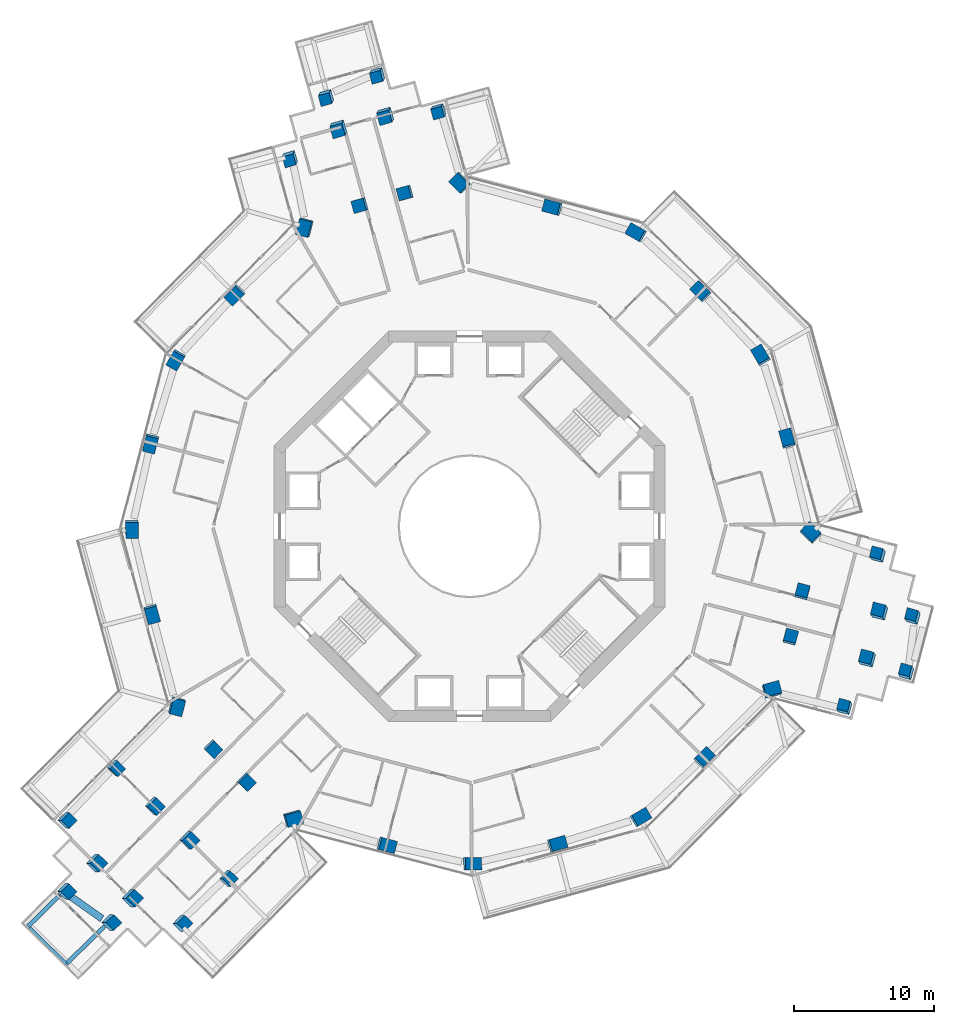
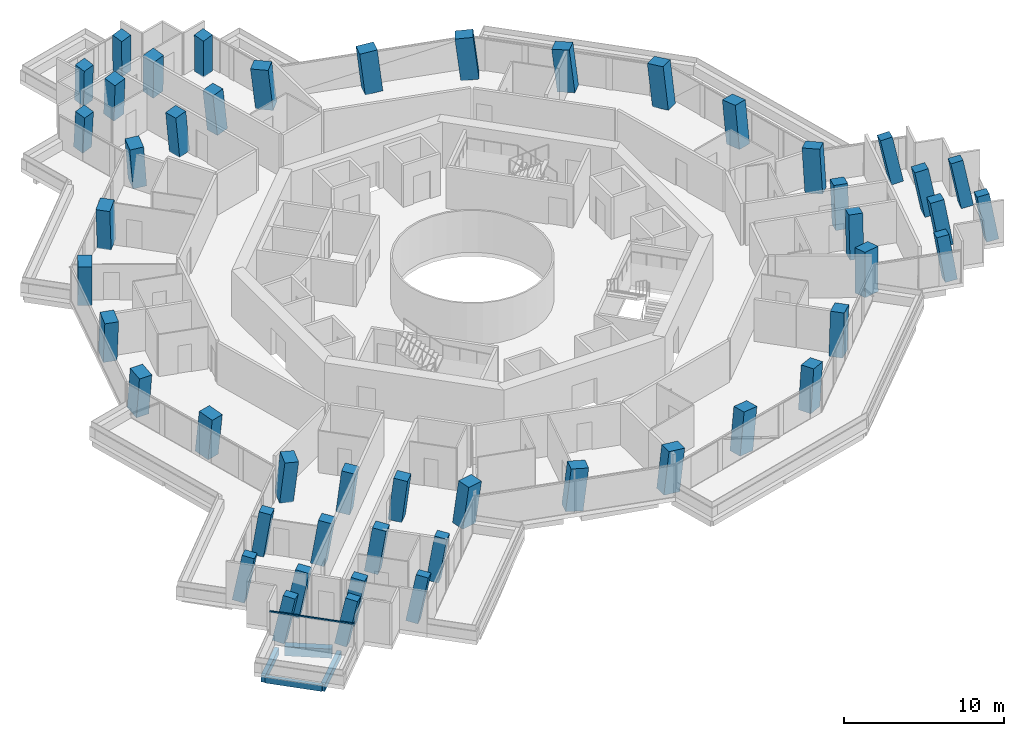
# One storey, part 1 of 26: 49 columns, 4 beams, 1 member, 1 element without a shape of its own.
"""IFC4 building model written with IfcOpenShell, lengths in metres."""

from ifc_helpers import new_model, si_unit, direction, frame, origin, origin_2d, place, context, subcontext, project, spatial, rectangle, extrude, material, layer, layer_set, material_profile, profile_set, type_object, element, aggregate, save


model = new_model("IFC4")

# Units and contexts
model_context = context("Model", 3, precision=1e-05, world=origin(), true_north=direction((0.0, 1.0)))
body_context = subcontext(model_context, "Body", "Model", "MODEL_VIEW")
ifc_project = project(units=[si_unit("LENGTHUNIT", "METRE"), si_unit("AREAUNIT", "SQUARE_METRE"), si_unit("VOLUMEUNIT", "CUBIC_METRE"), si_unit("PLANEANGLEUNIT", "RADIAN"), si_unit("MASSUNIT", "GRAM", prefix="KILO")], contexts=[model_context])

# Site, building, storey
site_placement = place(None, origin())
site = spatial("IfcSite", under=ifc_project, at=site_placement, CompositionType="ELEMENT")
building_placement = place(site_placement, origin())
building = spatial("IfcBuilding", under=site, at=building_placement, Name="Verdalira Terraces Hotel", CompositionType="ELEMENT")
storey_placement = place(building_placement, frame((0.0, 0.0, 96.5)))
storey = spatial("IfcBuildingStorey", under=building, at=storey_placement, Name="L22", CompositionType="ELEMENT", Elevation=96.5)

# Columns
ifc_material_1 = material(Name="Concrete C80", Category="concrete")
ifc_material_profile_1 = material_profile(ifc_material_1, rectangle(XDim=1.149902, YDim=0.899902, at=origin_2d()), Name="RC 1150X900")
ifc_profile_set_1 = profile_set([ifc_material_profile_1], Name="Concrete C80")
column_type_1 = type_object("IfcColumnType", Name="Column RC 1150X900 C80", PredefinedType="COLUMN", material=ifc_profile_set_1)
column_1_placement = place(storey_placement, frame((-11.777344, 21.430908, 0.0), z_axis=(-0.10140473, -0.056859624, 0.993219041), x_axis=(0.245212496, 0.966134351, 0.080344556)))
element("IfcColumn", 1, at=column_1_placement, inside=storey, type_object=column_type_1, Name="Column C03", PredefinedType="COLUMN", context=body_context, shape_type="SweptSolid", body=[
    extrude(rectangle(XDim=1.149902, YDim=0.899902, at=origin_2d()), origin(), (0.0, 0.0, 1.0), 3.21167),
])
column_2_placement = place(storey_placement, frame((-16.798096, 16.588379, 0.0), z_axis=(-0.078255888, -0.080537401, 0.993674868), x_axis=(-0.698489901, -0.706754906, -0.112291409)))
element("IfcColumn", 2, at=column_2_placement, inside=storey, type_object=column_type_1, Name="Column C04", PredefinedType="COLUMN", context=body_context, shape_type="SweptSolid", body=[
    extrude(rectangle(XDim=1.149902, YDim=0.899902, at=origin_2d()), origin(), (0.0, 0.0, 1.0), 3.210205),
])
column_3_placement = place(storey_placement, frame((-21.0271, 11.9646, 0.0), z_axis=(-0.056031257, -0.100506543, 0.993357404), x_axis=(0.491046936, 0.863500308, 0.115065743)))
element("IfcColumn", 3, at=column_3_placement, inside=storey, type_object=column_type_1, Name="Column C05", PredefinedType="COLUMN", context=body_context, shape_type="SweptSolid", body=[
    extrude(rectangle(XDim=1.149902, YDim=0.899902, at=origin_2d()), origin(), (0.0, 0.0, 1.0), 3.211182),
])
column_4_placement = place(storey_placement, frame((-22.841797, 5.966797, 0.0), z_axis=(-0.027454154, -0.108904014, 0.993673078), x_axis=(-0.251067637, -0.961432329, -0.112307249)))
element("IfcColumn", 4, at=column_4_placement, inside=storey, type_object=column_type_1, Name="Column C06", PredefinedType="COLUMN", context=body_context, shape_type="SweptSolid", body=[
    extrude(rectangle(XDim=1.149902, YDim=0.899902, at=origin_2d()), origin(), (0.0, 0.0, 1.0), 3.210205),
])
column_5_placement = place(storey_placement, frame((-24.192139, -0.1521, 0.0), z_axis=(0.001672581, -0.115027932, 0.993360849), x_axis=(-0.00600963, 0.993343145, 0.115036001)))
element("IfcColumn", 5, at=column_5_placement, inside=storey, type_object=column_type_1, Name="Column C07", PredefinedType="COLUMN", context=body_context, shape_type="SweptSolid", body=[
    extrude(rectangle(XDim=1.149902, YDim=0.899902, at=origin_2d()), origin(), (0.0, 0.0, 1.0), 3.211182),
])
column_6_placement = place(storey_placement, frame((-22.765137, -6.253418, 0.0), z_axis=(0.030724182, -0.108066988, 0.993668733), x_axis=(0.263618015, -0.958062623, -0.112345681)))
element("IfcColumn", 6, at=column_6_placement, inside=storey, type_object=column_type_1, Name="Column C08", PredefinedType="COLUMN", context=body_context, shape_type="SweptSolid", body=[
    extrude(rectangle(XDim=1.149902, YDim=0.899902, at=origin_2d()), origin(), (0.0, 0.0, 1.0), 3.210205),
])
column_7_placement = place(storey_placement, frame((-20.999756, -12.868408, 0.0), z_axis=(0.062022401, -0.099342252, 0.993118492), x_axis=(0.258602954, 0.962653299, 0.080144486)))
element("IfcColumn", 7, at=column_7_placement, inside=storey, type_object=column_type_1, Name="Column C09", PredefinedType="COLUMN", context=body_context, shape_type="SweptSolid", body=[
    extrude(rectangle(XDim=1.149902, YDim=0.899902, at=origin_2d()), origin(), (0.0, 0.0, 1.0), 3.212158),
])
column_8_placement = place(storey_placement, frame((-12.670898, -20.914795, 0.0), z_axis=(0.099959947, -0.059443862, 0.993214195), x_axis=(-0.959390795, -0.270387606, 0.080373166)))
element("IfcColumn", 8, at=column_8_placement, inside=storey, type_object=column_type_1, Name="Column C16", PredefinedType="COLUMN", context=body_context, shape_type="SweptSolid", body=[
    extrude(rectangle(XDim=1.149902, YDim=0.899902, at=origin_2d()), origin(), (0.0, 0.0, 1.0), 3.21167),
])
column_9_placement = place(storey_placement, frame((-5.966797, -22.841797, 0.0), z_axis=(0.108904014, -0.027454154, 0.993673078), x_axis=(0.961432329, -0.251067637, -0.112307249)))
element("IfcColumn", 9, at=column_9_placement, inside=storey, type_object=column_type_1, Name="Column C17", PredefinedType="COLUMN", context=body_context, shape_type="SweptSolid", body=[
    extrude(rectangle(XDim=1.149902, YDim=0.899902, at=origin_2d()), origin(), (0.0, 0.0, 1.0), 3.210205),
])
column_10_placement = place(storey_placement, frame((0.1521, -24.192139, 0.0), z_axis=(0.115027932, 0.001672581, 0.993360849), x_axis=(-0.993343145, -0.00600963, 0.115036001)))
element("IfcColumn", 10, at=column_10_placement, inside=storey, type_object=column_type_1, Name="Column C18", PredefinedType="COLUMN", context=body_context, shape_type="SweptSolid", body=[
    extrude(rectangle(XDim=1.149902, YDim=0.899902, at=origin_2d()), origin(), (0.0, 0.0, 1.0), 3.211182),
])
column_11_placement = place(storey_placement, frame((6.253418, -22.765137, 0.0), z_axis=(0.108066988, 0.030724182, 0.993668733), x_axis=(0.958062623, 0.263618015, -0.112345681)))
element("IfcColumn", 11, at=column_11_placement, inside=storey, type_object=column_type_1, Name="Column C19", PredefinedType="COLUMN", context=body_context, shape_type="SweptSolid", body=[
    extrude(rectangle(XDim=1.149902, YDim=0.899902, at=origin_2d()), origin(), (0.0, 0.0, 1.0), 3.210205),
])
column_12_placement = place(storey_placement, frame((12.227783, -20.875, 0.0), z_axis=(0.098758749, 0.058920732, 0.99336552), x_axis=(-0.857366586, -0.501695659, 0.114995663)))
element("IfcColumn", 12, at=column_12_placement, inside=storey, type_object=column_type_1, Name="Column C20", PredefinedType="COLUMN", context=body_context, shape_type="SweptSolid", body=[
    extrude(rectangle(XDim=1.149902, YDim=0.899902, at=origin_2d()), origin(), (0.0, 0.0, 1.0), 3.211182),
])
column_13_placement = place(storey_placement, frame((16.798096, -16.588379, 0.0), z_axis=(0.078255888, 0.080537401, 0.993674868), x_axis=(0.698489901, 0.706754906, -0.112291409)))
element("IfcColumn", 13, at=column_13_placement, inside=storey, type_object=column_type_1, Name="Column C21", PredefinedType="COLUMN", context=body_context, shape_type="SweptSolid", body=[
    extrude(rectangle(XDim=1.149902, YDim=0.899902, at=origin_2d()), origin(), (0.0, 0.0, 1.0), 3.210205),
])
column_14_placement = place(storey_placement, frame((21.644287, -11.752197, 0.0), z_axis=(0.055029299, 0.103445961, 0.99311163), x_axis=(-0.962932337, -0.257549594, 0.080184296)))
element("IfcColumn", 14, at=column_14_placement, inside=storey, type_object=column_type_1, Name="Column C22", PredefinedType="COLUMN", context=body_context, shape_type="SweptSolid", body=[
    extrude(rectangle(XDim=1.149902, YDim=0.899902, at=origin_2d()), origin(), (0.0, 0.0, 1.0), 3.212158),
])
column_15_placement = place(storey_placement, frame((24.448242, -0.515869, 0.0), z_axis=(0.001444299, 0.116228048, 0.993221503), x_axis=(0.71418589, -0.69533129, 0.080330018)))
element("IfcColumn", 15, at=column_15_placement, inside=storey, type_object=column_type_1, Name="Column C27", PredefinedType="COLUMN", context=body_context, shape_type="SweptSolid", body=[
    extrude(rectangle(XDim=1.149902, YDim=0.899902, at=origin_2d()), origin(), (0.0, 0.0, 1.0), 3.21167),
])
column_16_placement = place(storey_placement, frame((22.765137, 6.253418, 0.0), z_axis=(-0.030724182, 0.108066988, 0.993668733), x_axis=(-0.263618015, 0.958062623, -0.112345681)))
element("IfcColumn", 16, at=column_16_placement, inside=storey, type_object=column_type_1, Name="Column C28", PredefinedType="COLUMN", context=body_context, shape_type="SweptSolid", body=[
    extrude(rectangle(XDim=1.149902, YDim=0.899902, at=origin_2d()), origin(), (0.0, 0.0, 1.0), 3.210205),
])
column_17_placement = place(storey_placement, frame((20.875, 12.227783, 0.0), z_axis=(-0.058920732, 0.098758749, 0.99336552), x_axis=(0.501695659, -0.857366586, 0.114995663)))
element("IfcColumn", 17, at=column_17_placement, inside=storey, type_object=column_type_1, Name="Column C29", PredefinedType="COLUMN", context=body_context, shape_type="SweptSolid", body=[
    extrude(rectangle(XDim=1.149902, YDim=0.899902, at=origin_2d()), origin(), (0.0, 0.0, 1.0), 3.211182),
])
column_18_placement = place(storey_placement, frame((16.588379, 16.798096, 0.0), z_axis=(-0.080537401, 0.078255888, 0.993674868), x_axis=(-0.706754906, 0.698489901, -0.112291409)))
element("IfcColumn", 18, at=column_18_placement, inside=storey, type_object=column_type_1, Name="Column C30", PredefinedType="COLUMN", context=body_context, shape_type="SweptSolid", body=[
    extrude(rectangle(XDim=1.149902, YDim=0.899902, at=origin_2d()), origin(), (0.0, 0.0, 1.0), 3.210205),
])
column_19_placement = place(storey_placement, frame((11.9646, 21.0271, 0.0), z_axis=(-0.100506543, 0.056031257, 0.993357404), x_axis=(0.863500308, -0.491046936, 0.115065743)))
element("IfcColumn", 19, at=column_19_placement, inside=storey, type_object=column_type_1, Name="Column C31", PredefinedType="COLUMN", context=body_context, shape_type="SweptSolid", body=[
    extrude(rectangle(XDim=1.149902, YDim=0.899902, at=origin_2d()), origin(), (0.0, 0.0, 1.0), 3.211182),
])
column_20_placement = place(storey_placement, frame((5.966797, 22.841797, 0.0), z_axis=(-0.108904014, 0.027454154, 0.993673078), x_axis=(-0.961432329, 0.251067637, -0.112307249)))
element("IfcColumn", 20, at=column_20_placement, inside=storey, type_object=column_type_1, Name="Column C32", PredefinedType="COLUMN", context=body_context, shape_type="SweptSolid", body=[
    extrude(rectangle(XDim=1.149902, YDim=0.899902, at=origin_2d()), origin(), (0.0, 0.0, 1.0), 3.210205),
])
column_21_placement = place(storey_placement, frame((-0.644531, 24.620605, 0.0), z_axis=(-0.117051977, -0.004028412, 0.99311762), x_axis=(0.704297636, -0.705365784, 0.080149546)))
element("IfcColumn", 21, at=column_21_placement, inside=storey, type_object=column_type_1, Name="Column C33", PredefinedType="COLUMN", context=body_context, shape_type="SweptSolid", body=[
    extrude(rectangle(XDim=1.149902, YDim=0.899902, at=origin_2d()), origin(), (0.0, 0.0, 1.0), 3.212158),
])
ifc_material_2 = material(Name="Concrete C80", Category="concrete")
ifc_material_profile_2 = material_profile(ifc_material_2, rectangle(XDim=0.800049, YDim=0.800049, at=origin_2d()), Name="RC 800X800")
ifc_profile_set_2 = profile_set([ifc_material_profile_2], Name="Concrete C80")
column_type_2 = type_object("IfcColumnType", Name="Column RC 800X800 C80", PredefinedType="COLUMN", material=ifc_profile_set_2)
column_22_placement = place(storey_placement, frame((-2.182861, 29.805176, 0.0), z_axis=(-0.095674601, -0.162864777, 0.981998694), x_axis=(-0.28014286, 0.951055033, 0.130438879)))
element("IfcColumn", 22, at=column_22_placement, inside=storey, type_object=column_type_2, Name="Column C01", PredefinedType="COLUMN", context=body_context, shape_type="SweptSolid", body=[
    extrude(rectangle(XDim=0.800049, YDim=0.800049, at=origin_2d()), origin(), (0.0, 0.0, 1.0), 3.248535),
])
column_23_placement = place(storey_placement, frame((-12.833008, 26.444092, 0.0), z_axis=(-0.078816501, -0.211096986, 0.974282311), x_axis=(0.284239766, -0.941512507, -0.181002638)))
element("IfcColumn", 23, at=column_23_placement, inside=storey, type_object=column_type_2, Name="Column C02", PredefinedType="COLUMN", context=body_context, shape_type="SweptSolid", body=[
    extrude(rectangle(XDim=0.800049, YDim=0.800049, at=origin_2d()), origin(), (0.0, 0.0, 1.0), 3.27417),
])
column_24_placement = place(storey_placement, frame((-25.378418, -17.30249, 0.0), z_axis=(0.137695113, -0.062038458, 0.988529861), x_axis=(-0.696617468, -0.715546536, 0.052127325)))
element("IfcColumn", 24, at=column_24_placement, inside=storey, type_object=column_type_2, Name="Column C10", PredefinedType="COLUMN", context=body_context, shape_type="SweptSolid", body=[
    extrude(rectangle(XDim=0.800049, YDim=0.800049, at=origin_2d()), origin(), (0.0, 0.0, 1.0), 3.227051),
])
column_25_placement = place(storey_placement, frame((-28.936523, -21.062256, 0.0), z_axis=(0.208204816, -0.021030033, 0.977859137), x_axis=(-0.681209389, -0.720535553, 0.129546459)))
element("IfcColumn", 25, at=column_25_placement, inside=storey, type_object=column_type_2, Name="Column C11", PredefinedType="COLUMN", context=body_context, shape_type="SweptSolid", body=[
    extrude(rectangle(XDim=0.800049, YDim=0.800049, at=origin_2d()), origin(), (0.0, 0.0, 1.0), 3.262207),
])
column_26_placement = place(storey_placement, frame((-28.989258, -26.153809, 0.0), z_axis=(0.230798091, -0.02092073, 0.972776729), x_axis=(0.681359924, -0.710242011, -0.17693202)))
element("IfcColumn", 26, at=column_26_placement, inside=storey, type_object=column_type_2, Name="Column C12", PredefinedType="COLUMN", context=body_context, shape_type="SweptSolid", body=[
    extrude(rectangle(XDim=0.800049, YDim=0.800049, at=origin_2d()), origin(), (0.0, 0.0, 1.0), 3.279297),
])
column_27_placement = place(storey_placement, frame((-25.793213, -28.396484, 0.0), z_axis=(0.240608096, -0.00601706, 0.970603698), x_axis=(0.679770558, -0.712746131, -0.172930451)))
element("IfcColumn", 27, at=column_27_placement, inside=storey, type_object=column_type_2, Name="Column C13", PredefinedType="COLUMN", context=body_context, shape_type="SweptSolid", body=[
    extrude(rectangle(XDim=0.800049, YDim=0.800049, at=origin_2d()), origin(), (0.0, 0.0, 1.0), 3.286621),
])
column_28_placement = place(storey_placement, frame((-20.701416, -28.463379, 0.0), z_axis=(0.240645143, 0.017602747, 0.970453532), x_axis=(0.670282738, 0.720126451, -0.179273384)))
element("IfcColumn", 28, at=column_28_placement, inside=storey, type_object=column_type_2, Name="Column C14", PredefinedType="COLUMN", context=body_context, shape_type="SweptSolid", body=[
    extrude(rectangle(XDim=0.800049, YDim=0.800049, at=origin_2d()), origin(), (0.0, 0.0, 1.0), 3.287109),
])
column_29_placement = place(storey_placement, frame((-17.352295, -25.228516, 0.0), z_axis=(0.174192582, -0.0235823, 0.984429185), x_axis=(0.688040293, 0.71810231, -0.104544859)))
element("IfcColumn", 29, at=column_29_placement, inside=storey, type_object=column_type_2, Name="Column C15", PredefinedType="COLUMN", context=body_context, shape_type="SweptSolid", body=[
    extrude(rectangle(XDim=0.800049, YDim=0.800049, at=origin_2d()), origin(), (0.0, 0.0, 1.0), 3.240479),
])
column_30_placement = place(storey_placement, frame((26.90332, -13.012207, 0.0), z_axis=(-0.09311998, 0.164294009, 0.982006185), x_axis=(0.963614547, -0.23332321, 0.130411982)))
element("IfcColumn", 30, at=column_30_placement, inside=storey, type_object=column_type_2, Name="Column C23", PredefinedType="COLUMN", context=body_context, shape_type="SweptSolid", body=[
    extrude(rectangle(XDim=0.800049, YDim=0.800049, at=origin_2d()), origin(), (0.0, 0.0, 1.0), 3.248291),
])
column_31_placement = place(storey_placement, frame((31.339355, -10.512207, 0.0), z_axis=(-0.104568507, 0.184154266, 0.977319105), x_axis=(0.27180322, 0.950585316, -0.150035217)))
element("IfcColumn", 31, at=column_31_placement, inside=storey, type_object=column_type_2, Name="Column C24", PredefinedType="COLUMN", context=body_context, shape_type="SweptSolid", body=[
    extrude(rectangle(XDim=0.800049, YDim=0.800049, at=origin_2d()), origin(), (0.0, 0.0, 1.0), 3.263916),
])
column_32_placement = place(storey_placement, frame((31.80542, -6.551514, 0.0), z_axis=(-0.122811963, 0.185784804, 0.974885239), x_axis=(0.274242665, 0.950424447, -0.146575344)))
element("IfcColumn", 32, at=column_32_placement, inside=storey, type_object=column_type_2, Name="Column C25", PredefinedType="COLUMN", context=body_context, shape_type="SweptSolid", body=[
    extrude(rectangle(XDim=0.800049, YDim=0.800049, at=origin_2d()), origin(), (0.0, 0.0, 1.0), 3.272217),
])
column_33_placement = place(storey_placement, frame((29.317627, -2.108398, 0.0), z_axis=(-0.143317946, 0.173815886, 0.974293592), x_axis=(-0.957424248, 0.224924519, -0.180963452)))
element("IfcColumn", 33, at=column_33_placement, inside=storey, type_object=column_type_2, Name="Column C26", PredefinedType="COLUMN", context=body_context, shape_type="SweptSolid", body=[
    extrude(rectangle(XDim=0.800049, YDim=0.800049, at=origin_2d()), origin(), (0.0, 0.0, 1.0), 3.27417),
])
column_34_placement = place(storey_placement, frame((-6.565918, 32.396729, 0.0), z_axis=(-0.107186158, -0.182657779, 0.977316358), x_axis=(-0.959107643, -0.239998473, -0.150044201)))
element("IfcColumn", 34, at=column_34_placement, inside=storey, type_object=column_type_2, Name="Column C34", PredefinedType="COLUMN", context=body_context, shape_type="SweptSolid", body=[
    extrude(rectangle(XDim=0.800049, YDim=0.800049, at=origin_2d()), origin(), (0.0, 0.0, 1.0), 3.263916),
])
column_35_placement = place(storey_placement, frame((-10.229004, 30.820068, 0.0), z_axis=(-0.099459295, -0.199217042, 0.974895081), x_axis=(-0.960204205, -0.237764309, -0.146546985)))
element("IfcColumn", 35, at=column_35_placement, inside=storey, type_object=column_type_2, Name="Column C35", PredefinedType="COLUMN", context=body_context, shape_type="SweptSolid", body=[
    extrude(rectangle(XDim=0.800049, YDim=0.800049, at=origin_2d()), origin(), (0.0, 0.0, 1.0), 3.271973),
])
ifc_material_3 = material(Name="Concrete C80", Category="concrete")
ifc_material_profile_3 = material_profile(ifc_material_3, rectangle(XDim=0.899902, YDim=0.899902, at=origin_2d()), Name="RC 900X900")
ifc_profile_set_3 = profile_set([ifc_material_profile_3], Name="Concrete C80")
column_type_3 = type_object("IfcColumnType", Name="Column RC 900X900 C80", PredefinedType="COLUMN", material=ifc_profile_set_3)
for number, where, z_axis, x_axis, name in (
    (36, (-4.587402, 23.896729, 0.0), (-0.113422918, -0.022730196, 0.993286756), (-0.26373165, 0.964562561, -0.008042508), "Column C36"),
    (37, (-7.82373, 23.007812, 0.0), (-0.109166188, -0.038162553, 0.993290674), (-0.265885085, 0.963973058, 0.007814442), "Column C37"),
):
    element("IfcColumn", number, at=place(storey_placement, frame(where, z_axis=z_axis, x_axis=x_axis)), inside=storey, type_object=column_type_3, Name=name, PredefinedType="COLUMN", context=body_context, shape_type="SweptSolid", body=[
        extrude(rectangle(XDim=0.899902, YDim=0.899902, at=origin_2d()), origin(), (0.0, 0.0, 1.0), 3.211426),
    ])
column_36_placement = place(storey_placement, frame((-5.996338, 29.493896, 0.0), z_axis=(-0.093822424, -0.180225983, 0.979140413), x_axis=(-0.281994639, 0.948013704, 0.14747556)))
element("IfcColumn", 38, at=column_36_placement, inside=storey, type_object=column_type_3, Name="Column C38", PredefinedType="COLUMN", context=body_context, shape_type="SweptSolid", body=[
    extrude(rectangle(XDim=0.899902, YDim=0.899902, at=origin_2d()), origin(), (0.0, 0.0, 1.0), 3.257812),
])
column_37_placement = place(storey_placement, frame((-9.352295, 28.572021, 0.0), z_axis=(-0.089100681, -0.195393606, 0.976669037), x_axis=(-0.283555422, 0.944969601, 0.16318326)))
element("IfcColumn", 39, at=column_37_placement, inside=storey, type_object=column_type_3, Name="Column C39", PredefinedType="COLUMN", context=body_context, shape_type="SweptSolid", body=[
    extrude(rectangle(XDim=0.899902, YDim=0.899902, at=origin_2d()), origin(), (0.0, 0.0, 1.0), 3.266113),
])
for number, where, z_axis, x_axis, name in (
    (40, (-18.401611, -15.921143, 0.0), (0.076476179, -0.086890927, 0.993278088), (-0.703219517, -0.710927243, -0.008047681), "Column C40"),
    (41, (-16.013428, -18.279541, 0.0), (0.087576959, -0.075413493, 0.99329909), (-0.701893276, -0.712239314, 0.007809556), "Column C41"),
):
    element("IfcColumn", number, at=place(storey_placement, frame(where, z_axis=z_axis, x_axis=x_axis)), inside=storey, type_object=column_type_3, Name=name, PredefinedType="COLUMN", context=body_context, shape_type="SweptSolid", body=[
        extrude(rectangle(XDim=0.899902, YDim=0.899902, at=origin_2d()), origin(), (0.0, 0.0, 1.0), 3.211426),
    ])
column_38_placement = place(storey_placement, frame((-22.616699, -20.029785, 0.0), z_axis=(0.15038841, -0.048743982, 0.987424605), x_axis=(-0.693608754, -0.71691842, 0.070248664)))
element("IfcColumn", 42, at=column_38_placement, inside=storey, type_object=column_type_3, Name="Column C42", PredefinedType="COLUMN", context=body_context, shape_type="SweptSolid", body=[
    extrude(rectangle(XDim=0.899902, YDim=0.899902, at=origin_2d()), origin(), (0.0, 0.0, 1.0), 3.230469),
])
column_39_placement = place(storey_placement, frame((-20.148682, -22.467041, 0.0), z_axis=(0.161593715, -0.036907672, 0.986166971), x_axis=(-0.690988204, -0.717688122, 0.086365854)))
element("IfcColumn", 43, at=column_39_placement, inside=storey, type_object=column_type_3, Name="Column C43", PredefinedType="COLUMN", context=body_context, shape_type="SweptSolid", body=[
    extrude(rectangle(XDim=0.899902, YDim=0.899902, at=origin_2d()), origin(), (0.0, 0.0, 1.0), 3.234619),
])
column_40_placement = place(storey_placement, frame((-26.831787, -24.138428, 0.0), z_axis=(0.221923654, -0.011043948, 0.975001499), x_axis=(-0.677314039, -0.721061832, 0.145998378)))
element("IfcColumn", 44, at=column_40_placement, inside=storey, type_object=column_type_3, Name="Column C44", PredefinedType="COLUMN", context=body_context, shape_type="SweptSolid", body=[
    extrude(rectangle(XDim=0.899902, YDim=0.899902, at=origin_2d()), origin(), (0.0, 0.0, 1.0), 3.271729),
])
column_41_placement = place(storey_placement, frame((-24.283691, -26.654541, 0.0), z_axis=(0.232891441, 0.00096759, 0.972502257), x_axis=(-0.673521721, -0.721194283, 0.162010178)))
element("IfcColumn", 45, at=column_41_placement, inside=storey, type_object=column_type_3, Name="Column C45", PredefinedType="COLUMN", context=body_context, shape_type="SweptSolid", body=[
    extrude(rectangle(XDim=0.899902, YDim=0.899902, at=origin_2d()), origin(), (0.0, 0.0, 1.0), 3.280029),
])
for number, where, z_axis, x_axis, name in (
    (46, (22.989014, -7.975586, 0.0), (0.036946061, 0.109621851, 0.993286484), (0.967389364, -0.253166219, -0.008042671), "Column C46"),
    (47, (23.837158, -4.728271, 0.0), (0.021590058, 0.113575869, 0.993294715), (0.967627501, -0.252261748, 0.007812096), "Column C47"),
):
    element("IfcColumn", number, at=place(storey_placement, frame(where, z_axis=z_axis, x_axis=x_axis)), inside=storey, type_object=column_type_3, Name=name, PredefinedType="COLUMN", context=body_context, shape_type="SweptSolid", body=[
        extrude(rectangle(XDim=0.899902, YDim=0.899902, at=origin_2d()), origin(), (0.0, 0.0, 1.0), 3.211426),
    ])
column_42_placement = place(storey_placement, frame((28.540527, -9.553955, 0.0), z_axis=(-0.109110159, 0.171383883, 0.979143778), x_axis=(0.961935233, -0.230076159, 0.147463789)))
element("IfcColumn", 48, at=column_42_placement, inside=storey, type_object=column_type_3, Name="Column C48", PredefinedType="COLUMN", context=body_context, shape_type="SweptSolid", body=[
    extrude(rectangle(XDim=0.899902, YDim=0.899902, at=origin_2d()), origin(), (0.0, 0.0, 1.0), 3.257812),
])
column_43_placement = place(storey_placement, frame((29.420166, -6.186768, 0.0), z_axis=(-0.124606186, 0.174912102, 0.97666732), x_axis=(0.960061749, -0.227267963, 0.163189191)))
element("IfcColumn", 49, at=column_43_placement, inside=storey, type_object=column_type_3, Name="Column C49", PredefinedType="COLUMN", context=body_context, shape_type="SweptSolid", body=[
    extrude(rectangle(XDim=0.899902, YDim=0.899902, at=origin_2d()), origin(), (0.0, 0.0, 1.0), 3.266113),
])

# Beams
ifc_material_4 = material(Name="Concrete C40", Category="concrete")
ifc_material_profile_4 = material_profile(ifc_material_4, rectangle(XDim=0.300049, YDim=0.5, at=origin_2d()), Name="RC 300X500")
ifc_profile_set_4 = profile_set([ifc_material_profile_4], Name="Concrete C40")
beam_type_1 = type_object("IfcBeamType", Name="Balcony cantilever beam RC 300X500 C40", PredefinedType="BEAM", material=ifc_profile_set_4)
beam_1_placement = place(storey_placement, frame((-29.348633, -26.424561, -0.560059), z_axis=(-0.714456484, -0.699679879, 0.0), x_axis=(0.699679879, -0.714456484, 0.0)))
element("IfcBeam", 50, at=beam_1_placement, inside=storey, type_object=beam_type_1, Name="Balcony cantilever beam R19-1", PredefinedType="BEAM", context=body_context, shape_type="SweptSolid", body=[
    extrude(rectangle(XDim=0.300049, YDim=0.5, at=origin_2d()), origin(), (0.0, 0.0, 1.0), 3.205322),
])
beam_2_placement = place(storey_placement, frame((-26.156006, -28.672119, -0.560059), z_axis=(-0.71448797, -0.699647726, 0.0), x_axis=(0.699647726, -0.71448797, 0.0)))
element("IfcBeam", 51, at=beam_2_placement, inside=storey, type_object=beam_type_1, Name="Balcony cantilever beam R19-2", PredefinedType="BEAM", context=body_context, shape_type="SweptSolid", body=[
    extrude(rectangle(XDim=0.300049, YDim=0.5, at=origin_2d()), origin(), (0.0, 0.0, 1.0), 3.849609),
])
ifc_material_5 = material(Name="Concrete C40", Category="concrete")
ifc_material_profile_5 = material_profile(ifc_material_5, rectangle(XDim=0.25, YDim=0.449951, at=origin_2d()), Name="RC 250X450")
ifc_profile_set_5 = profile_set([ifc_material_profile_5], Name="Concrete C40")
beam_type_2 = type_object("IfcBeamType", Name="Balcony edge beam RC 250X450 C40", PredefinedType="BEAM", material=ifc_profile_set_5)
beam_3_placement = place(storey_placement, frame((-31.531982, -28.772705, -0.534912), z_axis=(0.711525862, -0.702659909, 0.0), x_axis=(0.702659909, 0.711525862, 0.0)))
element("IfcBeam", 52, at=beam_3_placement, inside=storey, type_object=beam_type_2, Name="Balcony edge beam R19-1", PredefinedType="BEAM", context=body_context, shape_type="SweptSolid", body=[
    extrude(rectangle(XDim=0.25, YDim=0.449951, at=origin_2d()), origin(), (0.0, 0.0, 1.0), 3.689941),
])

# Curtain wall, member
ifc_material_6 = material(Name="Clear glass", Category="glass")
ifc_layer = layer(ifc_material_6, 0.14990234375)
ifc_layer_set = layer_set([ifc_layer], Name="CW3 curtain wall")
curtain_wall_type = type_object("IfcCurtainWallType", Name="CW3 curtain wall", PredefinedType="NOTDEFINED", material=ifc_layer_set)
curtain_wall_placement = place(storey_placement, origin())
curtain_wall = element("IfcCurtainWall", 53, at=curtain_wall_placement, inside=storey, type_object=curtain_wall_type, Name="CW3 curtain wall L22 edge 19", PredefinedType="NOTDEFINED")
ifc_material_7 = material(Name="Terracotta frame", Category="masonry")
ifc_material_profile_6 = material_profile(ifc_material_7, rectangle(XDim=0.120117, YDim=0.064941, at=origin_2d()), Name="TR 65x120")
ifc_profile_set_6 = profile_set([ifc_material_profile_6], Name="Terracotta frame")
member_type = type_object("IfcMemberType", Name="CW3 transom 65x120", PredefinedType="USERDEFINED", material=ifc_profile_set_6)
member_placement = place(storey_placement, frame((-29.749023, -26.21167, 2.45752), z_axis=(0.711531876, -0.702653819, 0.0), x_axis=(0.702653819, 0.711531876, 0.0)))
member = element("IfcMember", 54, at=member_placement, type_object=member_type, Name="CW3 transom", ObjectType="TRANSOM", PredefinedType="USERDEFINED", context=body_context, shape_type="SweptSolid", body=[
    extrude(rectangle(XDim=0.120117, YDim=0.064941, at=origin_2d()), origin(), (0.0, 0.0, 1.0), 5.499756),
])
aggregate(curtain_wall, [member])

# Beam
ifc_material_8 = material(Name="Concrete C70", Category="concrete")
ifc_material_profile_7 = material_profile(ifc_material_8, rectangle(XDim=0.5, YDim=0.699951, at=origin_2d()), Name="RC 500X700")
ifc_profile_set_7 = profile_set([ifc_material_profile_7], Name="Concrete C70")
beam_type_3 = type_object("IfcBeamType", Name="Spandrel beam RC 500X700 C70", PredefinedType="SPANDREL", material=ifc_profile_set_7)
beam_4_placement = place(storey_placement, frame((-28.765625, -26.403076, -0.659912), z_axis=(0.816778959, -0.576950718, 0.0), x_axis=(0.576950718, 0.816778959, 0.0)))
element("IfcBeam", 55, at=beam_4_placement, inside=storey, type_object=beam_type_3, Name="Spandrel beam B12", PredefinedType="SPANDREL", context=body_context, shape_type="SweptSolid", body=[
    extrude(rectangle(XDim=0.5, YDim=0.699951, at=origin_2d()), origin(), (0.0, 0.0, 1.0), 2.973633),
])

save(model, "model.ifc")
